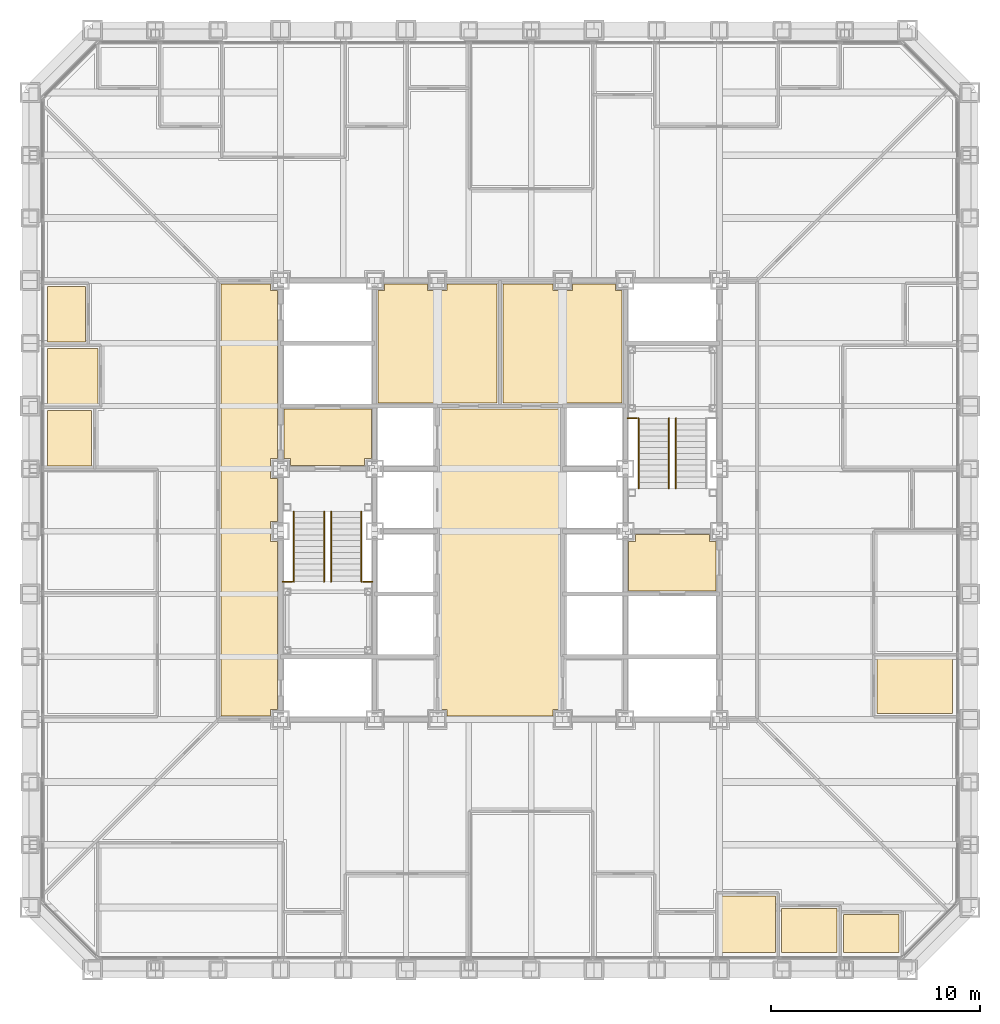
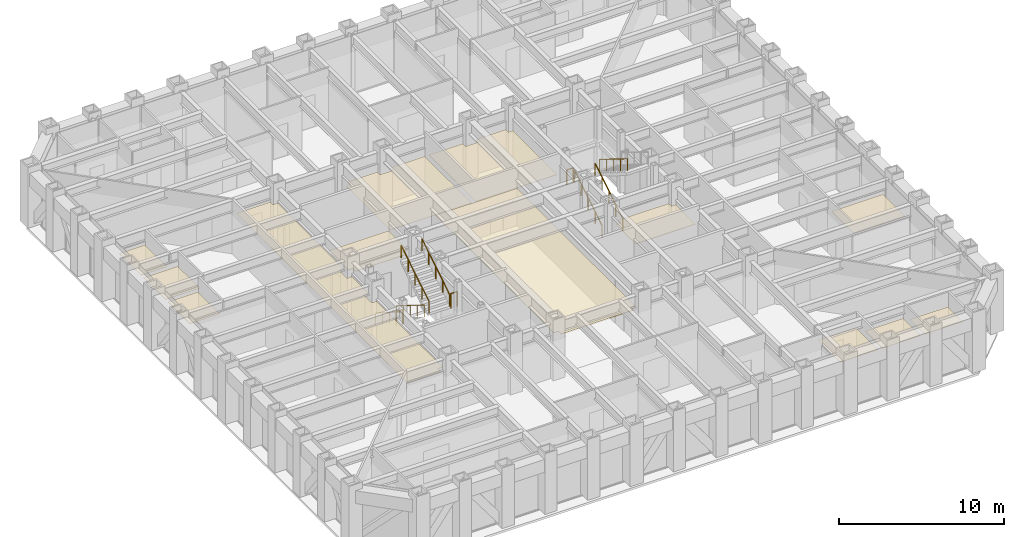
# One storey, part 15 of 17: 13 coverings, 10 railings.
"""IFC4 building model written with IfcOpenShell, lengths in metres."""

import ifcopenshell
import ifcopenshell.guid

model = None  # the IFC model being written
_history = None  # IfcOwnerHistory: only IFC2X3 demands one
_inside = {}  # id of a spatial element -> (the spatial element, [elements in it])
_under = {}  # id of a project, library or spatial element -> (it, [spatial elements below it])
_declared = {}  # id of a project -> (the project, [libraries it declares])
_typed = {}  # id of a type object -> (the type object, [elements of that type])
_made_of = {}  # id of a material, layer set ... -> (it, [elements and type objects made of it])


def new_model(schema):
    """Start an empty IFC model of exactly this schema.

    Asked for "IFC4X3", IfcOpenShell would pick the latest addendum, in which some entities
    have other attributes; the version numbers below select the first issue.
    IFC2X3 requires an IfcOwnerHistory on every rooted entity: one is made here for all.
    """
    global model, _history
    if schema == "IFC4X3":
        model = ifcopenshell.file(schema_version=(4, 3, 0, 0))
    else:
        model = ifcopenshell.file(schema=schema)
    _inside.clear()
    _under.clear()
    _declared.clear()
    _typed.clear()
    _made_of.clear()
    _history = None
    if model.schema == "IFC2X3":
        org = make("IfcOrganization", Name="unknown")
        user = make(
            "IfcPersonAndOrganization",
            ThePerson=make("IfcPerson", FamilyName="unknown"),
            TheOrganization=org,
        )
        app = make(
            "IfcApplication",
            ApplicationDeveloper=org,
            Version="unknown",
            ApplicationFullName="unknown",
            ApplicationIdentifier="unknown",
        )
        _history = make(
            "IfcOwnerHistory",
            OwningUser=user,
            OwningApplication=app,
            ChangeAction="ADDED",
            CreationDate=0,
        )
    return model


def make(cls, **values):
    """One entity of the class cls with the attributes given. An attribute that is None is left unset."""
    return model.create_entity(
        cls, **{name: value for name, value in values.items() if value is not None}
    )


def rooted(cls, **values):
    """An entity with a GlobalId (a new one), such as an element, a storey or a relation."""
    return make(cls, GlobalId=ifcopenshell.guid.new(), OwnerHistory=_history, **values)


def si_unit(unit_type, name, prefix=None):
    """IfcSIUnit, for example si_unit("LENGTHUNIT", "METRE", prefix="MILLI")."""
    return make("IfcSIUnit", UnitType=unit_type, Prefix=prefix, Name=name)


def assignment(units):
    """IfcUnitAssignment: the units of a project."""
    return None if units is None else make("IfcUnitAssignment", Units=units)


def point(xyz):
    """IfcCartesianPoint."""
    return None if xyz is None else make("IfcCartesianPoint", Coordinates=xyz)


def direction(xyz):
    """IfcDirection."""
    return None if xyz is None else make("IfcDirection", DirectionRatios=xyz)


def frame(location, z_axis=None, x_axis=None):
    """IfcAxis2Placement3D, a coordinate frame: its origin and axes. An axis left out is left unset."""
    return make(
        "IfcAxis2Placement3D",
        Location=point(location),
        Axis=direction(z_axis),
        RefDirection=direction(x_axis),
    )


def frame_2d(location, x_axis=None):
    """IfcAxis2Placement2D, a coordinate frame in the plane: its origin and x axis."""
    return make(
        "IfcAxis2Placement2D", Location=point(location), RefDirection=direction(x_axis)
    )


def origin():
    """The frame at (0, 0, 0) with its axes left unset."""
    return frame((0.0, 0.0, 0.0))


def origin_2d():
    """The frame at (0, 0) in the plane with its x axis left unset."""
    return frame_2d((0.0, 0.0))


def place(relative_to, where):
    """IfcLocalPlacement: puts the frame where relative to a parent placement (None: the world)."""
    return make(
        "IfcLocalPlacement", PlacementRelTo=relative_to, RelativePlacement=where
    )


def context(
    kind, dimensions, precision=None, world=None, true_north=None, identifier=None
):
    """IfcGeometricRepresentationContext, for example the 3D "Model" context."""
    return make(
        "IfcGeometricRepresentationContext",
        ContextIdentifier=identifier,
        ContextType=kind,
        CoordinateSpaceDimension=dimensions,
        Precision=precision,
        WorldCoordinateSystem=world,
        TrueNorth=true_north,
    )


def subcontext(parent, identifier, kind, view, scale=None):
    """IfcGeometricRepresentationSubContext, for example "Body" below "Model"."""
    return make(
        "IfcGeometricRepresentationSubContext",
        ContextIdentifier=identifier,
        ContextType=kind,
        ParentContext=parent,
        TargetScale=scale,
        TargetView=view,
    )


def project(units=None, contexts=None):
    """IfcProject with its units and contexts."""
    return rooted(
        "IfcProject",
        Name="project",
        RepresentationContexts=contexts,
        UnitsInContext=assignment(units),
    )


def spatial(cls, under=None, at=None, **own):
    """A site, building, storey or space (cls), placed at a placement, below another one or the project."""
    s = rooted(cls, ObjectPlacement=at, **own)
    if under is not None:
        _under.setdefault(under.id(), (under, []))[1].append(s)
    return s


def polyline(points):
    """IfcPolyline through the points."""
    return make("IfcPolyline", Points=[point(p) for p in points])


def profile(cls, at=None, kind="AREA", **sizes):
    """A parametric profile (cls). Its sizes go by their IFC names, for example OverallWidth=200.0."""
    return make(cls, ProfileType=kind, Position=at, **sizes)


def circle(**sizes):
    """IfcCircleProfileDef."""
    return profile("IfcCircleProfileDef", **sizes)


def outline(outer, holes=None, kind="AREA"):
    """IfcArbitraryClosedProfileDef: a profile drawn as a closed curve; with holes, ...WithVoids."""
    if holes is None:
        return make("IfcArbitraryClosedProfileDef", ProfileType=kind, OuterCurve=outer)
    return make(
        "IfcArbitraryProfileDefWithVoids",
        ProfileType=kind,
        OuterCurve=outer,
        InnerCurves=holes,
    )


def extrude(swept, where, along, depth):
    """IfcExtrudedAreaSolid: the profile swept, set in the frame where, extruded along a direction by depth."""
    return make(
        "IfcExtrudedAreaSolid",
        SweptArea=swept,
        Position=where,
        ExtrudedDirection=direction(along),
        Depth=depth,
    )


def shape(context_of_items, identifier, shape_type, items):
    """IfcShapeRepresentation: the items that make up one representation, for example the "Body"."""
    return make(
        "IfcShapeRepresentation",
        ContextOfItems=context_of_items,
        RepresentationIdentifier=identifier,
        RepresentationType=shape_type,
        Items=items,
    )


def material(Name=None, Category=None):
    """IfcMaterial."""
    return make("IfcMaterial", Name=Name, Category=Category)


def layer(
    of_material, thickness, ventilated=None, Name=None, Category=None, Priority=None
):
    """IfcMaterialLayer: one layer of a wall or slab, of a material (None: an air gap)."""
    return make(
        "IfcMaterialLayer",
        Material=of_material,
        LayerThickness=thickness,
        IsVentilated=ventilated,
        Name=Name,
        Category=Category,
        Priority=Priority,
    )


def layer_set(layers, Name=None):
    """IfcMaterialLayerSet."""
    return make("IfcMaterialLayerSet", MaterialLayers=layers, LayerSetName=Name)


def made_of(thing, what):
    """Note that an element or type object is made of a material, layer set ...; save() writes the relation."""
    if what is not None:
        _made_of.setdefault(what.id(), (what, []))[1].append(thing)
    return thing


def type_object(cls, material=None, **own):
    """A type object (cls), such as IfcWallType, which elements share."""
    return made_of(rooted(cls, **own), material)


def element(
    cls,
    number,
    at=None,
    inside=None,
    cuts=None,
    type_object=None,
    material=None,
    context=None,
    identifier="Body",
    shape_type=None,
    held_by="IfcProductDefinitionShape",
    body=None,
    shapes=None,
    **own,
):
    """One element of the class cls, such as IfcWall. Its Tag is "e" and its number.

    at: its placement. inside: the storey or other place that contains it. cuts: it is an
    opening in that element (IfcRelVoidsElement). A single representation is given by context,
    identifier, shape_type and body (its items); several are given by shapes. held_by: the class
    of the entity that holds the representations. save() writes the other relations.
    """
    e = rooted(cls, Tag="e%d" % number, ObjectPlacement=at, **own)
    if body is not None:
        shapes = [shape(context, identifier, shape_type, body)]
    if shapes is not None:
        e.Representation = make(held_by, Representations=shapes)
    if inside is not None:
        _inside.setdefault(inside.id(), (inside, []))[1].append(e)
    if cuts is not None:
        rooted(
            "IfcRelVoidsElement", RelatingBuildingElement=cuts, RelatedOpeningElement=e
        )
    if type_object is not None:
        _typed.setdefault(type_object.id(), (type_object, []))[1].append(e)
    return made_of(e, material)


def aggregate(whole, parts):
    """IfcRelAggregates: a whole, such as a stair, and the parts it consists of."""
    return rooted("IfcRelAggregates", RelatingObject=whole, RelatedObjects=parts)


def save(model, path):
    """Write the relations noted so far, then the file.

    IfcRelAggregates (storeys below a building ...), IfcRelContainedInSpatialStructure (elements
    in a storey), IfcRelDefinesByType, IfcRelAssociatesMaterial and IfcRelDeclares: one each for
    every whole, place, type object, material and project.
    """
    for whole, parts in _under.values():
        aggregate(whole, parts)
    for where, things in _inside.values():
        rooted(
            "IfcRelContainedInSpatialStructure",
            RelatedElements=things,
            RelatingStructure=where,
        )
    for kind, things in _typed.values():
        rooted("IfcRelDefinesByType", RelatedObjects=things, RelatingType=kind)
    for what, things in _made_of.values():
        rooted("IfcRelAssociatesMaterial", RelatedObjects=things, RelatingMaterial=what)
    for by, libraries in _declared.values():
        rooted("IfcRelDeclares", RelatingContext=by, RelatedDefinitions=libraries)
    model.write(path)


model = new_model("IFC4")

# Units and contexts
model_context = context("Model", 3, precision=1e-05, world=origin(), true_north=direction((0.0, 1.0)))
body_context = subcontext(model_context, "Body", "Model", "MODEL_VIEW")
ifc_project = project(units=[si_unit("LENGTHUNIT", "METRE"), si_unit("AREAUNIT", "SQUARE_METRE"), si_unit("VOLUMEUNIT", "CUBIC_METRE"), si_unit("PLANEANGLEUNIT", "RADIAN"), si_unit("MASSUNIT", "GRAM", prefix="KILO")], contexts=[model_context])

# Site, building, storey
site_placement = place(None, origin())
site = spatial("IfcSite", under=ifc_project, at=site_placement, CompositionType="ELEMENT")
building_placement = place(site_placement, origin())
building = spatial("IfcBuilding", under=site, at=building_placement, Name="Chuquiago Exchange Tower", CompositionType="ELEMENT")
storey_placement = place(building_placement, frame((0.0, 0.0, 87.300048828125)))
storey = spatial("IfcBuildingStorey", under=building, at=storey_placement, Name="L18", CompositionType="ELEMENT", Elevation=87.300048828125)

# Coverings
ifc_material_1 = material(Name="Mineral fibre tile, 600 x 600, on pale metal grid", Category="mineral fibre")
ifc_layer_1 = layer(ifc_material_1, 0.02001953125)
ifc_layer_set_1 = layer_set([ifc_layer_1], Name="CL1 suspended tile ceiling 20")
covering_type_1 = type_object("IfcCoveringType", Name="CL1 suspended tile ceiling 20", PredefinedType="CEILING", material=ifc_layer_set_1)
covering_1_placement = place(storey_placement, frame((0.0, 0.0, 3.0)))
element("IfcCovering", 1, at=covering_1_placement, inside=storey, type_object=covering_type_1, Name="Ceiling Comms room", PredefinedType="CEILING", context=body_context, shape_type="SweptSolid", body=[
    extrude(outline(polyline([(33.01611328125, 3.550048828125), (35.677978515625, 3.550048828125), (35.677978515625, 0.85009765625), (33.01611328125, 0.85009765625), (33.01611328125, 3.550048828125)])), origin(), (0.0, 0.0, 1.0), 0.02001953125),
])
covering_2_placement = place(storey_placement, frame((0.0, 0.0, 3.0)))
element("IfcCovering", 2, at=covering_2_placement, inside=storey, type_object=covering_type_1, Name="Ceiling Store", PredefinedType="CEILING", context=body_context, shape_type="SweptSolid", body=[
    extrude(outline(polyline([(35.977783203125, 2.949951171875), (38.6396484375, 2.949951171875), (38.6396484375, 0.85009765625), (35.977783203125, 0.85009765625), (35.977783203125, 2.949951171875)])), origin(), (0.0, 0.0, 1.0), 0.02001953125),
])
covering_3_placement = place(storey_placement, frame((0.0, 0.0, 3.0)))
element("IfcCovering", 3, at=covering_3_placement, inside=storey, type_object=covering_type_1, Name="Ceiling Focus room", PredefinedType="CEILING", context=body_context, shape_type="SweptSolid", body=[
    extrude(outline(polyline([(38.939697265625, 0.85009765625), (38.939697265625, 2.64990234375), (41.6015625, 2.64990234375), (41.6015625, 0.85009765625), (38.939697265625, 0.85009765625)])), origin(), (0.0, 0.0, 1.0), 0.02001953125),
])
covering_4_placement = place(storey_placement, frame((0.0, 0.0, 3.0)))
element("IfcCovering", 4, at=covering_4_placement, inside=storey, type_object=covering_type_1, Name="Ceiling Office", PredefinedType="CEILING", context=body_context, shape_type="SweptSolid", body=[
    extrude(outline(polyline([(40.550048828125, 12.28369140625), (40.550048828125, 14.945556640625), (44.14990234375, 14.945556640625), (44.14990234375, 12.28369140625), (40.550048828125, 12.28369140625)])), origin(), (0.0, 0.0, 1.0), 0.02001953125),
])
covering_5_placement = place(storey_placement, frame((0.0, 0.0, 3.0)))
element("IfcCovering", 5, at=covering_5_placement, inside=storey, type_object=covering_type_1, Name="Ceiling Store", PredefinedType="CEILING", context=body_context, shape_type="SweptSolid", body=[
    extrude(outline(polyline([(2.949951171875, 26.79248046875), (2.949951171875, 24.130859375), (0.85009765625, 24.130859375), (0.85009765625, 26.79248046875), (2.949951171875, 26.79248046875)])), origin(), (0.0, 0.0, 1.0), 0.02001953125),
])
covering_6_placement = place(storey_placement, frame((0.0, 0.0, 3.0)))
element("IfcCovering", 6, at=covering_6_placement, inside=storey, type_object=covering_type_1, Name="Ceiling Pantry", PredefinedType="CEILING", context=body_context, shape_type="SweptSolid", body=[
    extrude(outline(polyline([(3.25, 29.75439453125), (3.25, 27.092529296875), (0.85009765625, 27.092529296875), (0.85009765625, 29.75439453125), (3.25, 29.75439453125)])), origin(), (0.0, 0.0, 1.0), 0.02001953125),
])
covering_7_placement = place(storey_placement, frame((0.0, 0.0, 3.0)))
element("IfcCovering", 7, at=covering_7_placement, inside=storey, type_object=covering_type_1, Name="Ceiling Focus room", PredefinedType="CEILING", context=body_context, shape_type="SweptSolid", body=[
    extrude(outline(polyline([(2.64990234375, 32.71630859375), (2.64990234375, 30.054443359375), (0.85009765625, 30.054443359375), (0.85009765625, 32.71630859375), (2.64990234375, 32.71630859375)])), origin(), (0.0, 0.0, 1.0), 0.02001953125),
])
covering_8_placement = place(storey_placement, frame((0.0, 0.0, 3.0)))
element("IfcCovering", 8, at=covering_8_placement, inside=storey, type_object=covering_type_1, Name="Ceiling Circulation corridor", PredefinedType="CEILING", context=body_context, shape_type="SweptSolid", body=[
    extrude(outline(polyline([(9.14990234375, 12.14990234375), (9.14990234375, 32.85009765625), (11.52490234375, 32.85009765625), (11.52490234375, 32.52490234375), (11.85009765625, 32.52490234375), (11.85009765625, 24.47509765625), (11.52490234375, 24.47509765625), (11.52490234375, 23.52490234375), (11.85009765625, 23.52490234375), (11.85009765625, 21.47509765625), (11.52490234375, 21.47509765625), (11.52490234375, 20.52490234375), (11.85009765625, 20.52490234375), (11.85009765625, 12.47509765625), (11.52490234375, 12.47509765625), (11.52490234375, 12.14990234375), (9.14990234375, 12.14990234375)])), origin(), (0.0, 0.0, 1.0), 0.02001953125),
])
ifc_material_2 = material(Name="Moisture resistant plasterboard on metal frame", Category="gypsum")
ifc_layer_2 = layer(ifc_material_2, 0.014892578125)
ifc_layer_set_2 = layer_set([ifc_layer_2], Name="CL2 moisture resistant ceiling 15")
covering_type_2 = type_object("IfcCoveringType", Name="CL2 moisture resistant ceiling 15", PredefinedType="CEILING", material=ifc_layer_set_2)
covering_9_placement = place(storey_placement, frame((0.0, 0.0, 2.599853515625)))
element("IfcCovering", 9, at=covering_9_placement, inside=storey, type_object=covering_type_2, Name="Ceiling Male WC", PredefinedType="CEILING", context=body_context, shape_type="SweptSolid", body=[
    extrude(outline(polyline([(16.64990234375, 27.14990234375), (16.64990234375, 32.52490234375), (16.97509765625, 32.52490234375), (16.97509765625, 32.85009765625), (19.02490234375, 32.85009765625), (19.02490234375, 32.52490234375), (19.97509765625, 32.52490234375), (19.97509765625, 32.85009765625), (22.35009765625, 32.85009765625), (22.35009765625, 27.14990234375), (16.64990234375, 27.14990234375)])), origin(), (0.0, 0.0, 1.0), 0.01513671875),
])
covering_10_placement = place(storey_placement, frame((0.0, 0.0, 2.599853515625)))
element("IfcCovering", 10, at=covering_10_placement, inside=storey, type_object=covering_type_2, Name="Ceiling Female WC", PredefinedType="CEILING", context=body_context, shape_type="SweptSolid", body=[
    extrude(outline(polyline([(22.64990234375, 27.14990234375), (22.64990234375, 32.85009765625), (25.02490234375, 32.85009765625), (25.02490234375, 32.52490234375), (25.97509765625, 32.52490234375), (25.97509765625, 32.85009765625), (28.02490234375, 32.85009765625), (28.02490234375, 32.52490234375), (28.35009765625, 32.52490234375), (28.35009765625, 27.14990234375), (22.64990234375, 27.14990234375)])), origin(), (0.0, 0.0, 1.0), 0.01513671875),
])
ifc_material_3 = material(Name="Pale metal plank ceiling, perforated", Category="aluminium")
ifc_layer_3 = layer(ifc_material_3, 0.030029296875)
ifc_layer_set_3 = layer_set([ifc_layer_3], Name="CL3 metal plank ceiling 30")
covering_type_3 = type_object("IfcCoveringType", Name="CL3 metal plank ceiling 30", PredefinedType="CEILING", material=ifc_layer_set_3)
covering_11_placement = place(storey_placement, frame((0.0, 0.0, 2.800048828125)))
element("IfcCovering", 11, at=covering_11_placement, inside=storey, type_object=covering_type_3, Name="Ceiling Lift lobby", PredefinedType="CEILING", context=body_context, shape_type="SweptSolid", body=[
    extrude(outline(polyline([(19.97509765625, 12.14990234375), (19.97509765625, 12.47509765625), (19.64990234375, 12.47509765625), (19.64990234375, 26.85009765625), (25.35009765625, 26.85009765625), (25.35009765625, 12.47509765625), (25.02490234375, 12.47509765625), (25.02490234375, 12.14990234375), (19.97509765625, 12.14990234375)])), origin(), (0.0, 0.0, 1.0), 0.02978515625),
])
covering_12_placement = place(storey_placement, frame((0.0, 0.0, 2.800048828125)))
element("IfcCovering", 12, at=covering_12_placement, inside=storey, type_object=covering_type_3, Name="Ceiling Firefighting lobby", PredefinedType="CEILING", context=body_context, shape_type="SweptSolid", body=[
    extrude(outline(polyline([(12.47509765625, 24.14990234375), (12.47509765625, 24.47509765625), (12.14990234375, 24.47509765625), (12.14990234375, 26.85009765625), (16.35009765625, 26.85009765625), (16.35009765625, 24.47509765625), (16.02490234375, 24.47509765625), (16.02490234375, 24.14990234375), (12.47509765625, 24.14990234375)])), origin(), (0.0, 0.0, 1.0), 0.02978515625),
])
covering_13_placement = place(storey_placement, frame((0.0, 0.0, 2.800048828125)))
element("IfcCovering", 13, at=covering_13_placement, inside=storey, type_object=covering_type_3, Name="Ceiling Firefighting lobby", PredefinedType="CEILING", context=body_context, shape_type="SweptSolid", body=[
    extrude(outline(polyline([(28.64990234375, 18.14990234375), (28.64990234375, 20.52490234375), (28.97509765625, 20.52490234375), (28.97509765625, 20.85009765625), (32.52490234375, 20.85009765625), (32.52490234375, 20.52490234375), (32.85009765625, 20.52490234375), (32.85009765625, 18.14990234375), (28.64990234375, 18.14990234375)])), origin(), (0.0, 0.0, 1.0), 0.02978515625),
])

# Railings
ifc_material_4 = material(Name="Pale metal guard with safety glass infill", Category="glass")
railing_type_1 = type_object("IfcRailingType", Name="GR1 guard 1100", PredefinedType="GUARDRAIL", material=ifc_material_4)
for number, where, name in (
    (14, (12.10009765625, 18.590087890625, 2.25), "Guard ST1 L18 landing 2"),
    (15, (15.945068359375, 18.590087890625, 2.25), "Guard ST1 L18 landing 2"),
    (16, (28.60009765625, 26.409912109375, 2.25), "Guard ST2 L18 landing 2"),
):
    element("IfcRailing", number, at=place(storey_placement, frame(where)), inside=storey, type_object=railing_type_1, Name=name, PredefinedType="GUARDRAIL", context=body_context, shape_type="SweptSolid", body=[
        extrude(circle(Radius=0.02392578125, at=origin_2d()), frame((0.0, 0.0, 1.076171875), z_axis=(1.0, 0.0, 0.0), x_axis=(0.0, 1.0, 0.0)), (0.0, 0.0, 1.0), 0.454833984375),
        extrude(circle(Radius=0.02099609375, at=origin_2d()), origin(), (0.0, 0.0, 1.0), 1.052001953125),
        extrude(circle(Radius=0.02099609375, at=origin_2d()), frame((0.454833984375, 0.0, 0.0)), (0.0, 0.0, 1.0), 1.052001953125),
    ])
ifc_material_5 = material(Name="Pale metal handrail", Category="steel")
railing_type_2 = type_object("IfcRailingType", Name="HR1 handrail 900", PredefinedType="HANDRAIL", material=ifc_material_5)
for number, where, name in (
    (17, (12.635009765625, 21.949951171875, 0.173095703125), "Handrail ST1 L18 flight 1"),
    (18, (14.0849609375, 21.949951171875, 0.173095703125), "Handrail ST1 L18 flight 1"),
):
    element("IfcRailing", number, at=place(storey_placement, frame(where)), inside=storey, type_object=railing_type_2, Name=name, PredefinedType="HANDRAIL", context=body_context, shape_type="SweptSolid", body=[
        extrude(circle(Radius=0.02392578125, at=origin_2d()), frame((0.0, 0.0, 0.8759765625), z_axis=(0.0, -0.850606129759, 0.525803396734), x_axis=(1.0, 0.0, 0.0)), (0.0, 0.0, 1.0), 3.949951171875),
        extrude(circle(Radius=0.02099609375, at=origin_2d()), origin(), (0.0, 0.0, 1.0), 0.851806640625),
        extrude(circle(Radius=0.02099609375, at=origin_2d()), frame((0.0, -0.83984375, 0.519287109375)), (0.0, 0.0, 1.0), 0.851806640625),
        extrude(circle(Radius=0.02099609375, at=origin_2d()), frame((0.0, -1.679931640625, 1.03857421875)), (0.0, 0.0, 1.0), 0.851806640625),
        extrude(circle(Radius=0.02099609375, at=origin_2d()), frame((0.0, -2.52001953125, 1.5576171875)), (0.0, 0.0, 1.0), 0.851806640625),
        extrude(circle(Radius=0.02099609375, at=origin_2d()), frame((0.0, -3.35986328125, 2.076904296875)), (0.0, 0.0, 1.0), 0.851806640625),
    ])
for number, where, name in (
    (19, (15.864990234375, 18.590087890625, 2.423095703125), "Handrail ST1 L18 flight 2"),
    (20, (14.4150390625, 18.590087890625, 2.423095703125), "Handrail ST1 L18 flight 2"),
    (21, (30.5849609375, 23.050048828125, 0.173095703125), "Handrail ST2 L18 flight 1"),
    (22, (29.135009765625, 23.050048828125, 0.173095703125), "Handrail ST2 L18 flight 1"),
):
    element("IfcRailing", number, at=place(storey_placement, frame(where)), inside=storey, type_object=railing_type_2, Name=name, PredefinedType="HANDRAIL", context=body_context, shape_type="SweptSolid", body=[
        extrude(circle(Radius=0.02392578125, at=origin_2d()), frame((0.0, 0.0, 0.8759765625), z_axis=(0.0, 0.850606129759, 0.525803396734), x_axis=(-1.0, 0.0, 0.0)), (0.0, 0.0, 1.0), 3.949951171875),
        extrude(circle(Radius=0.02099609375, at=origin_2d()), origin(), (0.0, 0.0, 1.0), 0.851806640625),
        extrude(circle(Radius=0.02099609375, at=origin_2d()), frame((0.0, 0.83984375, 0.519287109375)), (0.0, 0.0, 1.0), 0.851806640625),
        extrude(circle(Radius=0.02099609375, at=origin_2d()), frame((0.0, 1.679931640625, 1.03857421875)), (0.0, 0.0, 1.0), 0.851806640625),
        extrude(circle(Radius=0.02099609375, at=origin_2d()), frame((0.0, 2.52001953125, 1.5576171875)), (0.0, 0.0, 1.0), 0.851806640625),
        extrude(circle(Radius=0.02099609375, at=origin_2d()), frame((0.0, 3.35986328125, 2.076904296875)), (0.0, 0.0, 1.0), 0.851806640625),
    ])
railing_placement = place(storey_placement, frame((30.9150390625, 26.409912109375, 2.423095703125)))
element("IfcRailing", 23, at=railing_placement, inside=storey, type_object=railing_type_2, Name="Handrail ST2 L18 flight 2", PredefinedType="HANDRAIL", context=body_context, shape_type="SweptSolid", body=[
    extrude(circle(Radius=0.02392578125, at=origin_2d()), frame((0.0, 0.0, 0.8759765625), z_axis=(0.0, -0.850606129759, 0.525803396734), x_axis=(1.0, 0.0, 0.0)), (0.0, 0.0, 1.0), 3.949951171875),
    extrude(circle(Radius=0.02099609375, at=origin_2d()), origin(), (0.0, 0.0, 1.0), 0.851806640625),
    extrude(circle(Radius=0.02099609375, at=origin_2d()), frame((0.0, -0.83984375, 0.519287109375)), (0.0, 0.0, 1.0), 0.851806640625),
    extrude(circle(Radius=0.02099609375, at=origin_2d()), frame((0.0, -1.679931640625, 1.03857421875)), (0.0, 0.0, 1.0), 0.851806640625),
    extrude(circle(Radius=0.02099609375, at=origin_2d()), frame((0.0, -2.52001953125, 1.5576171875)), (0.0, 0.0, 1.0), 0.851806640625),
    extrude(circle(Radius=0.02099609375, at=origin_2d()), frame((0.0, -3.35986328125, 2.076904296875)), (0.0, 0.0, 1.0), 0.851806640625),
])

save(model, "model.ifc")
